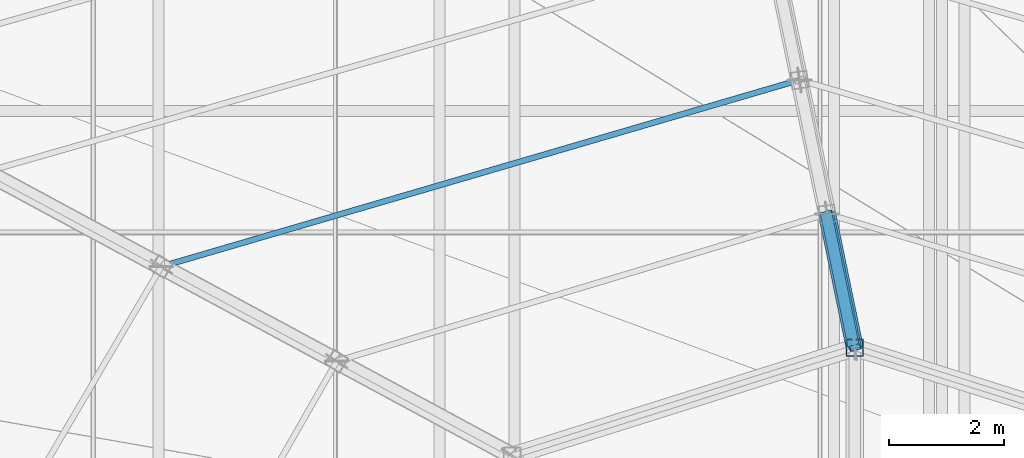
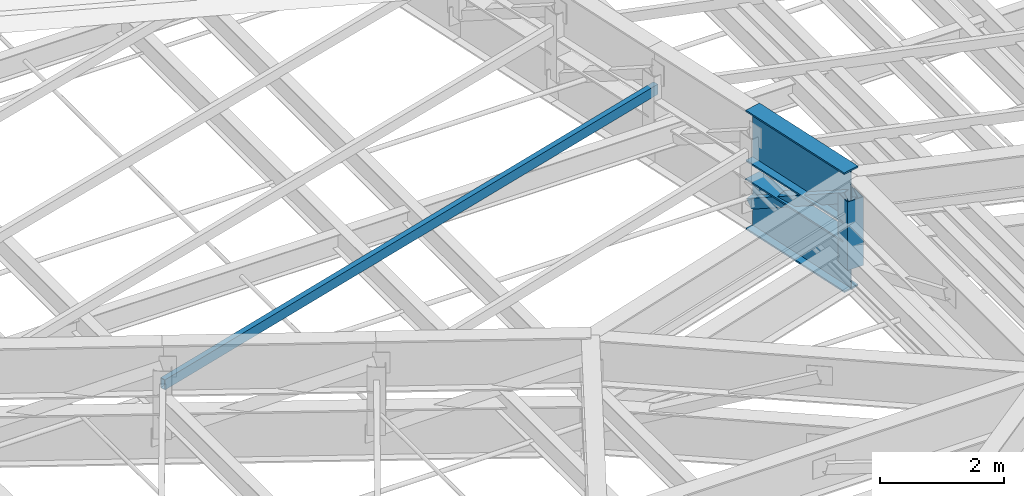
# One storey, part 104 of 184: 3 members, 2 beams.
"""IFC4 building model written with IfcOpenShell, lengths in metres."""

import ifcopenshell
import ifcopenshell.guid

model = None  # the IFC model being written
_history = None  # IfcOwnerHistory: only IFC2X3 demands one
_inside = {}  # id of a spatial element -> (the spatial element, [elements in it])
_under = {}  # id of a project, library or spatial element -> (it, [spatial elements below it])
_declared = {}  # id of a project -> (the project, [libraries it declares])
_typed = {}  # id of a type object -> (the type object, [elements of that type])
_made_of = {}  # id of a material, layer set ... -> (it, [elements and type objects made of it])


def new_model(schema):
    """Start an empty IFC model of exactly this schema.

    Asked for "IFC4X3", IfcOpenShell would pick the latest addendum, in which some entities
    have other attributes; the version numbers below select the first issue.
    IFC2X3 requires an IfcOwnerHistory on every rooted entity: one is made here for all.
    """
    global model, _history
    if schema == "IFC4X3":
        model = ifcopenshell.file(schema_version=(4, 3, 0, 0))
    else:
        model = ifcopenshell.file(schema=schema)
    _inside.clear()
    _under.clear()
    _declared.clear()
    _typed.clear()
    _made_of.clear()
    _history = None
    if model.schema == "IFC2X3":
        org = make("IfcOrganization", Name="unknown")
        user = make(
            "IfcPersonAndOrganization",
            ThePerson=make("IfcPerson", FamilyName="unknown"),
            TheOrganization=org,
        )
        app = make(
            "IfcApplication",
            ApplicationDeveloper=org,
            Version="unknown",
            ApplicationFullName="unknown",
            ApplicationIdentifier="unknown",
        )
        _history = make(
            "IfcOwnerHistory",
            OwningUser=user,
            OwningApplication=app,
            ChangeAction="ADDED",
            CreationDate=0,
        )
    return model


def make(cls, **values):
    """One entity of the class cls with the attributes given. An attribute that is None is left unset."""
    return model.create_entity(
        cls, **{name: value for name, value in values.items() if value is not None}
    )


def rooted(cls, **values):
    """An entity with a GlobalId (a new one), such as an element, a storey or a relation."""
    return make(cls, GlobalId=ifcopenshell.guid.new(), OwnerHistory=_history, **values)


def si_unit(unit_type, name, prefix=None):
    """IfcSIUnit, for example si_unit("LENGTHUNIT", "METRE", prefix="MILLI")."""
    return make("IfcSIUnit", UnitType=unit_type, Prefix=prefix, Name=name)


def assignment(units):
    """IfcUnitAssignment: the units of a project."""
    return None if units is None else make("IfcUnitAssignment", Units=units)


def point(xyz):
    """IfcCartesianPoint."""
    return None if xyz is None else make("IfcCartesianPoint", Coordinates=xyz)


def direction(xyz):
    """IfcDirection."""
    return None if xyz is None else make("IfcDirection", DirectionRatios=xyz)


def frame(location, z_axis=None, x_axis=None):
    """IfcAxis2Placement3D, a coordinate frame: its origin and axes. An axis left out is left unset."""
    return make(
        "IfcAxis2Placement3D",
        Location=point(location),
        Axis=direction(z_axis),
        RefDirection=direction(x_axis),
    )


def frame_2d(location, x_axis=None):
    """IfcAxis2Placement2D, a coordinate frame in the plane: its origin and x axis."""
    return make(
        "IfcAxis2Placement2D", Location=point(location), RefDirection=direction(x_axis)
    )


def origin():
    """The frame at (0, 0, 0) with its axes left unset."""
    return frame((0.0, 0.0, 0.0))


def origin_2d():
    """The frame at (0, 0) in the plane with its x axis left unset."""
    return frame_2d((0.0, 0.0))


def place(relative_to, where):
    """IfcLocalPlacement: puts the frame where relative to a parent placement (None: the world)."""
    return make(
        "IfcLocalPlacement", PlacementRelTo=relative_to, RelativePlacement=where
    )


def context(
    kind, dimensions, precision=None, world=None, true_north=None, identifier=None
):
    """IfcGeometricRepresentationContext, for example the 3D "Model" context."""
    return make(
        "IfcGeometricRepresentationContext",
        ContextIdentifier=identifier,
        ContextType=kind,
        CoordinateSpaceDimension=dimensions,
        Precision=precision,
        WorldCoordinateSystem=world,
        TrueNorth=true_north,
    )


def subcontext(parent, identifier, kind, view, scale=None):
    """IfcGeometricRepresentationSubContext, for example "Body" below "Model"."""
    return make(
        "IfcGeometricRepresentationSubContext",
        ContextIdentifier=identifier,
        ContextType=kind,
        ParentContext=parent,
        TargetScale=scale,
        TargetView=view,
    )


def project(units=None, contexts=None):
    """IfcProject with its units and contexts."""
    return rooted(
        "IfcProject",
        Name="project",
        RepresentationContexts=contexts,
        UnitsInContext=assignment(units),
    )


def spatial(cls, under=None, at=None, **own):
    """A site, building, storey or space (cls), placed at a placement, below another one or the project."""
    s = rooted(cls, ObjectPlacement=at, **own)
    if under is not None:
        _under.setdefault(under.id(), (under, []))[1].append(s)
    return s


def profile(cls, at=None, kind="AREA", **sizes):
    """A parametric profile (cls). Its sizes go by their IFC names, for example OverallWidth=200.0."""
    return make(cls, ProfileType=kind, Position=at, **sizes)


def hollow_rectangle(**sizes):
    """IfcRectangleHollowProfileDef."""
    return profile("IfcRectangleHollowProfileDef", **sizes)


def i_section(**sizes):
    """IfcIShapeProfileDef."""
    return profile("IfcIShapeProfileDef", **sizes)


def extrude(swept, where, along, depth):
    """IfcExtrudedAreaSolid: the profile swept, set in the frame where, extruded along a direction by depth."""
    return make(
        "IfcExtrudedAreaSolid",
        SweptArea=swept,
        Position=where,
        ExtrudedDirection=direction(along),
        Depth=depth,
    )


def shape(context_of_items, identifier, shape_type, items):
    """IfcShapeRepresentation: the items that make up one representation, for example the "Body"."""
    return make(
        "IfcShapeRepresentation",
        ContextOfItems=context_of_items,
        RepresentationIdentifier=identifier,
        RepresentationType=shape_type,
        Items=items,
    )


def material(Name=None, Category=None):
    """IfcMaterial."""
    return make("IfcMaterial", Name=Name, Category=Category)


def material_profile(
    of_material, cross_section, Name=None, Category=None, Priority=None
):
    """IfcMaterialProfile: a cross section and its material."""
    return make(
        "IfcMaterialProfile",
        Name=Name,
        Material=of_material,
        Profile=cross_section,
        Priority=Priority,
        Category=Category,
    )


def profile_set(profiles, Name=None, composite=None):
    """IfcMaterialProfileSet."""
    return make(
        "IfcMaterialProfileSet",
        Name=Name,
        MaterialProfiles=profiles,
        CompositeProfile=composite,
    )


def made_of(thing, what):
    """Note that an element or type object is made of a material, layer set ...; save() writes the relation."""
    if what is not None:
        _made_of.setdefault(what.id(), (what, []))[1].append(thing)
    return thing


def type_object(cls, material=None, **own):
    """A type object (cls), such as IfcWallType, which elements share."""
    return made_of(rooted(cls, **own), material)


def element(
    cls,
    number,
    at=None,
    inside=None,
    cuts=None,
    type_object=None,
    material=None,
    context=None,
    identifier="Body",
    shape_type=None,
    held_by="IfcProductDefinitionShape",
    body=None,
    shapes=None,
    **own,
):
    """One element of the class cls, such as IfcWall. Its Tag is "e" and its number.

    at: its placement. inside: the storey or other place that contains it. cuts: it is an
    opening in that element (IfcRelVoidsElement). A single representation is given by context,
    identifier, shape_type and body (its items); several are given by shapes. held_by: the class
    of the entity that holds the representations. save() writes the other relations.
    """
    e = rooted(cls, Tag="e%d" % number, ObjectPlacement=at, **own)
    if body is not None:
        shapes = [shape(context, identifier, shape_type, body)]
    if shapes is not None:
        e.Representation = make(held_by, Representations=shapes)
    if inside is not None:
        _inside.setdefault(inside.id(), (inside, []))[1].append(e)
    if cuts is not None:
        rooted(
            "IfcRelVoidsElement", RelatingBuildingElement=cuts, RelatedOpeningElement=e
        )
    if type_object is not None:
        _typed.setdefault(type_object.id(), (type_object, []))[1].append(e)
    return made_of(e, material)


def aggregate(whole, parts):
    """IfcRelAggregates: a whole, such as a stair, and the parts it consists of."""
    return rooted("IfcRelAggregates", RelatingObject=whole, RelatedObjects=parts)


def save(model, path):
    """Write the relations noted so far, then the file.

    IfcRelAggregates (storeys below a building ...), IfcRelContainedInSpatialStructure (elements
    in a storey), IfcRelDefinesByType, IfcRelAssociatesMaterial and IfcRelDeclares: one each for
    every whole, place, type object, material and project.
    """
    for whole, parts in _under.values():
        aggregate(whole, parts)
    for where, things in _inside.values():
        rooted(
            "IfcRelContainedInSpatialStructure",
            RelatedElements=things,
            RelatingStructure=where,
        )
    for kind, things in _typed.values():
        rooted("IfcRelDefinesByType", RelatedObjects=things, RelatingType=kind)
    for what, things in _made_of.values():
        rooted("IfcRelAssociatesMaterial", RelatedObjects=things, RelatingMaterial=what)
    for by, libraries in _declared.values():
        rooted("IfcRelDeclares", RelatingContext=by, RelatedDefinitions=libraries)
    model.write(path)


model = new_model("IFC4")

# Units and contexts
model_context = context("Model", 3, precision=1e-05, world=origin(), true_north=direction((0.0, 1.0)))
body_context = subcontext(model_context, "Body", "Model", "MODEL_VIEW")
ifc_project = project(units=[si_unit("LENGTHUNIT", "METRE"), si_unit("AREAUNIT", "SQUARE_METRE"), si_unit("VOLUMEUNIT", "CUBIC_METRE"), si_unit("PLANEANGLEUNIT", "RADIAN"), si_unit("MASSUNIT", "GRAM", prefix="KILO")], contexts=[model_context])

# Site, building, storey
site_placement = place(None, origin())
site = spatial("IfcSite", under=ifc_project, at=site_placement, CompositionType="ELEMENT")
building_placement = place(site_placement, origin())
building = spatial("IfcBuilding", under=site, at=building_placement, Name="Kalgoora Escarpment Arena", CompositionType="ELEMENT")
storey_placement = place(building_placement, frame((0.0, 0.0, 27.60009765625)))
storey = spatial("IfcBuildingStorey", under=building, at=storey_placement, Name="Roof Level", CompositionType="ELEMENT", Elevation=27.60009765625)

# Beams
ifc_material_1 = material(Name="Structural steel Grade 350 (350 MPa)", Category="steel")
ifc_material_profile_1 = material_profile(ifc_material_1, i_section(OverallWidth=0.300048828125, OverallDepth=1.010009765625, WebThickness=0.01611328125, FlangeThickness=0.030029296875, at=origin_2d()))
ifc_profile_set_1 = profile_set([ifc_material_profile_1], Name="Structural steel Grade 350 (350 MPa)")
beam_type = type_object("IfcBeamType", Name="BM-TRUSS-CHORD", PredefinedType="USERDEFINED", material=ifc_profile_set_1)
for number, where, z_axis, x_axis, name in (
    (1, (96.717529296875, 72.731689453125, -1.60498046875), (0.202605182316, -0.979258381192, 0.002040334162), (0.979260419507, 0.202605604036, 0.0), "Radial ROOF TRUSS spine 3 bottom chord 11"),
    (2, (96.717529296875, 72.731689453125, -0.260009765625), (0.202603831774, -0.979251853575, 0.004182657151), (0.979260419507, 0.202605604036, 0.0), "Radial ROOF TRUSS spine 3 top chord 11"),
):
    element("IfcBeam", number, at=place(storey_placement, frame(where, z_axis=z_axis, x_axis=x_axis)), inside=storey, type_object=beam_type, Name=name, ObjectType="GIRDER", PredefinedType="USERDEFINED", context=body_context, shape_type="SweptSolid", body=[
        extrude(i_section(OverallWidth=0.300048828125, OverallDepth=1.010009765625, WebThickness=0.01611328125, FlangeThickness=0.030029296875, at=origin_2d()), origin(), (0.0, 0.0, 1.0), 2.39306640625),
    ])

# Members
ifc_material_2 = material(Name="Structural steel C350 (350 MPa)", Category="steel")
ifc_material_profile_2 = material_profile(ifc_material_2, hollow_rectangle(XDim=0.10009765625, YDim=0.199951171875, WallThickness=0.009033203125, at=origin_2d()))
ifc_profile_set_2 = profile_set([ifc_material_profile_2], Name="Structural steel C350 (350 MPa)")
member_type_1 = type_object("IfcMemberType", Name="MEM-PURLIN-RHS", PredefinedType="PURLIN", material=ifc_profile_set_2)
member_1_placement = place(storey_placement, frame((96.239990234375, 75.0400390625, -0.6201171875), z_axis=(-0.959811354647, -0.28064597537, 0.0), x_axis=(0.28064597537, -0.959811354647, 0.0)))
element("IfcMember", 3, at=member_1_placement, inside=storey, type_object=member_type_1, Name="Roof circumferential purlin ring 9 sector 3", PredefinedType="PURLIN", context=body_context, shape_type="SweptSolid", body=[
    extrude(hollow_rectangle(XDim=0.10009765625, YDim=0.199951171875, WallThickness=0.009033203125, at=origin_2d()), origin(), (0.0, 0.0, 1.0), 11.522216796875),
])
ifc_material_3 = material(Name="Structural steel C350 (350 MPa)", Category="steel")
ifc_material_profile_3 = material_profile(ifc_material_3, hollow_rectangle(XDim=0.199951171875, YDim=0.199951171875, WallThickness=0.009033203125, at=origin_2d()))
ifc_profile_set_3 = profile_set([ifc_material_profile_3], Name="Structural steel C350 (350 MPa)")
member_type_2 = type_object("IfcMemberType", Name="MEM-TRUSS-DIAG", PredefinedType="BRACE", material=ifc_profile_set_3)
member_2_placement = place(storey_placement, frame((96.719970703125, 72.719970703125, -1.60498046875), z_axis=(0.17586220853, -0.850060309084, 0.496457404548), x_axis=(0.238054451937, -0.452625956438, -0.859336849827)))
element("IfcMember", 4, at=member_2_placement, inside=storey, type_object=member_type_2, Name="Radial ROOF TRUSS spine 3 web diagonal 11", PredefinedType="BRACE", context=body_context, shape_type="SweptSolid", body=[
    extrude(hollow_rectangle(XDim=0.199951171875, YDim=0.199951171875, WallThickness=0.009033203125, at=origin_2d()), origin(), (0.0, 0.0, 1.0), 2.729248046875),
])
ifc_material_4 = material(Name="Structural steel C450 (450 MPa)", Category="steel")
ifc_material_profile_4 = material_profile(ifc_material_4, hollow_rectangle(XDim=0.300048828125, YDim=0.300048828125, WallThickness=0.012451171875, at=origin_2d()))
ifc_profile_set_4 = profile_set([ifc_material_profile_4], Name="Structural steel C450 (450 MPa)")
member_type_3 = type_object("IfcMemberType", Name="MEM-TRUSS-POST", PredefinedType="POST", material=ifc_profile_set_4)
member_3_placement = place(storey_placement, frame((97.199951171875, 70.39990234375, -1.60009765625), z_axis=(0.0, 0.0, 1.0), x_axis=(1.0, 0.0, 0.0)))
element("IfcMember", 5, at=member_3_placement, inside=storey, type_object=member_type_3, Name="Central ROOF TRUSS hub post 3", PredefinedType="POST", context=body_context, shape_type="SweptSolid", body=[
    extrude(hollow_rectangle(XDim=0.300048828125, YDim=0.300048828125, WallThickness=0.012451171875, at=origin_2d()), origin(), (0.0, 0.0, 1.0), 1.35009765625),
])

save(model, "model.ifc")
